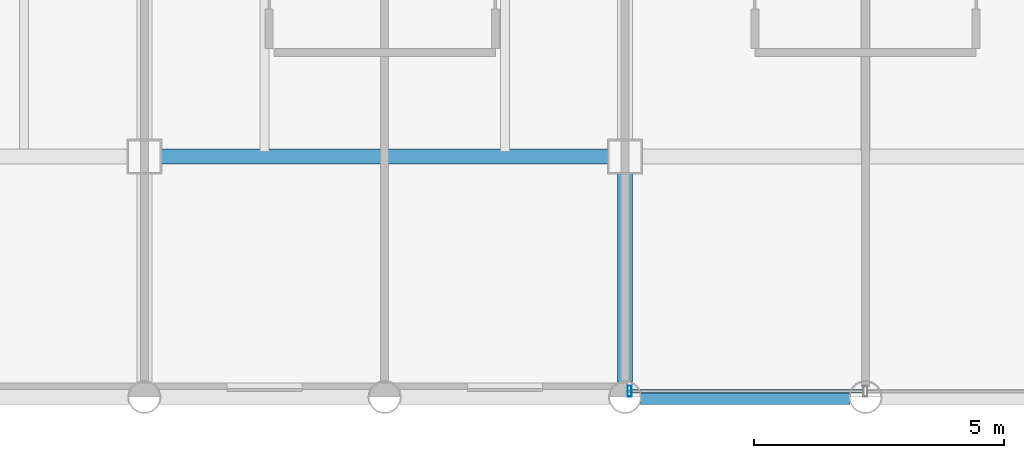
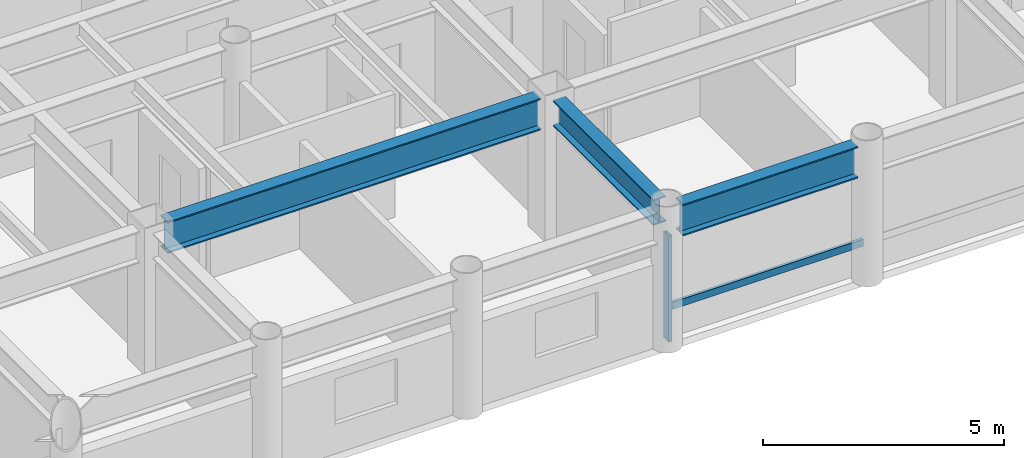
# One storey, part 2 of 20: 3 beams, 2 members, 1 element without a shape of its own.
"""IFC4 building model written with IfcOpenShell, lengths in metres."""

from ifc_helpers import new_model, si_unit, direction, frame, origin, origin_2d, place, context, subcontext, project, spatial, hollow_rectangle, i_section, extrude, material, layer, layer_set, material_profile, profile_set, type_object, element, aggregate, save


model = new_model("IFC4")

# Units and contexts
model_context = context("Model", 3, precision=1e-05, world=origin(), true_north=direction((0.0, 1.0)))
body_context = subcontext(model_context, "Body", "Model", "MODEL_VIEW")
ifc_project = project(units=[si_unit("LENGTHUNIT", "METRE"), si_unit("AREAUNIT", "SQUARE_METRE"), si_unit("VOLUMEUNIT", "CUBIC_METRE"), si_unit("PLANEANGLEUNIT", "RADIAN"), si_unit("MASSUNIT", "GRAM", prefix="KILO")], contexts=[model_context])

# Site, building, storey
site_placement = place(None, origin())
site = spatial("IfcSite", under=ifc_project, at=site_placement, CompositionType="ELEMENT")
building_placement = place(site_placement, origin())
building = spatial("IfcBuilding", under=site, at=building_placement, Name="Kallvorn Hotel Tower", CompositionType="ELEMENT")
storey_placement = place(building_placement, frame((0.0, 0.0, 128.5)))
storey = spatial("IfcBuildingStorey", under=building, at=storey_placement, Name="L31", CompositionType="ELEMENT", Elevation=128.5)

# Beams
ifc_material_1 = material(Name="Structural steel S355JR", Category="steel")
ifc_material_profile_1 = material_profile(ifc_material_1, i_section(OverallWidth=0.300048828125, OverallDepth=0.64990234375, WebThickness=0.01611328125, FlangeThickness=0.031005859375, at=origin_2d()), Name="HE 650 B")
ifc_profile_set_1 = profile_set([ifc_material_profile_1], Name="Structural steel S355JR")
beam_type_1 = type_object("IfcBeamType", Name="BM_HE650B", PredefinedType="BEAM", material=ifc_profile_set_1)
beam_1_placement = place(storey_placement, frame((-4.800048828125, -18.89501953125, 3.195068359375), z_axis=(0.0, 1.0, 0.0), x_axis=(-1.0, 0.0, 0.0)))
element("IfcBeam", 1, at=beam_1_placement, inside=storey, type_object=beam_type_1, Name="L32 Primary Y-Girder 106", PredefinedType="BEAM", context=body_context, shape_type="SweptSolid", body=[
    extrude(i_section(OverallWidth=0.300048828125, OverallDepth=0.64990234375, WebThickness=0.01611328125, FlangeThickness=0.031005859375, at=origin_2d()), origin(), (0.0, 0.0, 1.0), 4.169921875),
])
ifc_material_2 = material(Name="Structural steel S355JR", Category="steel")
ifc_material_profile_2 = material_profile(ifc_material_2, i_section(OverallWidth=0.300048828125, OverallDepth=0.800048828125, WebThickness=0.017578125, FlangeThickness=0.032958984375, at=origin_2d()), Name="HE 800 B")
ifc_profile_set_2 = profile_set([ifc_material_profile_2], Name="Structural steel S355JR")
beam_type_2 = type_object("IfcBeamType", Name="BM_HE800B", PredefinedType="BEAM", material=ifc_profile_set_2)
beam_2_placement = place(storey_placement, frame((-4.4951171875, -19.199951171875, 3.1201171875), z_axis=(1.0, 0.0, 0.0), x_axis=(0.0, 1.0, 0.0)))
element("IfcBeam", 2, at=beam_2_placement, inside=storey, type_object=beam_type_2, Name="L32 Primary X-Girder 06", PredefinedType="BEAM", context=body_context, shape_type="SweptSolid", body=[
    extrude(i_section(OverallWidth=0.300048828125, OverallDepth=0.800048828125, WebThickness=0.017578125, FlangeThickness=0.032958984375, at=origin_2d()), origin(), (0.0, 0.0, 1.0), 4.190185546875),
])
beam_3_placement = place(storey_placement, frame((-14.074951171875, -14.39990234375, 3.1201171875), z_axis=(1.0, 0.0, 0.0), x_axis=(0.0, 1.0, 0.0)))
element("IfcBeam", 3, at=beam_3_placement, inside=storey, type_object=beam_type_2, Name="L32 Primary X-Girder 17", PredefinedType="BEAM", context=body_context, shape_type="SweptSolid", body=[
    extrude(i_section(OverallWidth=0.300048828125, OverallDepth=0.800048828125, WebThickness=0.017578125, FlangeThickness=0.032958984375, at=origin_2d()), origin(), (0.0, 0.0, 1.0), 8.949951171875),
])

# Curtain wall, members
ifc_material_3 = material(Name="Thermally broken black-anodised aluminium AA 6063-T6", Category="aluminium")
ifc_layer = layer(ifc_material_3, 0.2099609375)
ifc_layer_set = layer_set([ifc_layer], Name="CW_SYS_4_HOTEL_MID")
curtain_wall_type = type_object("IfcCurtainWallType", Name="CW_SYS_4_HOTEL_MID", PredefinedType="USERDEFINED", material=ifc_layer_set)
curtain_wall_placement = place(storey_placement, origin())
curtain_wall = element("IfcCurtainWall", 4, at=curtain_wall_placement, inside=storey, type_object=curtain_wall_type, Name="L31 Dark-Glass Curtain Wall CW-L31-SC", ObjectType="UNITISED CURTAIN WALL", PredefinedType="USERDEFINED")
ifc_material_4 = material(Name="Thermally broken black-anodised aluminium AA 6063-T6", Category="aluminium")
ifc_material_profile_3 = material_profile(ifc_material_4, hollow_rectangle(XDim=0.080078125, YDim=0.219970703125, WallThickness=0.0048828125, at=origin_2d()), Name="MUL 220x80")
ifc_profile_set_3 = profile_set([ifc_material_profile_3], Name="Thermally broken black-anodised aluminium AA 6063-T6")
member_type_1 = type_object("IfcMemberType", Name="CW_MULLION_220x80", PredefinedType="MULLION", material=ifc_profile_set_3)
member_1_placement = place(storey_placement, frame((-4.7099609375, -19.080078125, 0.02001953125), z_axis=(0.0, 0.0, 1.0), x_axis=(1.0, 0.0, 0.0)))
member_1 = element("IfcMember", 5, at=member_1_placement, type_object=member_type_1, Name="CW-L31-SC Mullion 00", PredefinedType="MULLION", context=body_context, shape_type="SweptSolid", body=[
    extrude(hollow_rectangle(XDim=0.080078125, YDim=0.219970703125, WallThickness=0.0048828125, at=origin_2d()), origin(), (0.0, 0.0, 1.0), 2.679931640625),
])
ifc_material_5 = material(Name="Thermally broken black-anodised aluminium AA 6063-T6", Category="aluminium")
ifc_material_profile_4 = material_profile(ifc_material_5, hollow_rectangle(XDim=0.070068359375, YDim=0.179931640625, WallThickness=0.00390625, at=origin_2d()), Name="TRN 180x70")
ifc_profile_set_4 = profile_set([ifc_material_profile_4], Name="Thermally broken black-anodised aluminium AA 6063-T6")
member_type_2 = type_object("IfcMemberType", Name="CW_TRANSOM_180x70", PredefinedType="USERDEFINED", material=ifc_profile_set_4)
member_2_placement = place(storey_placement, frame((-4.7099609375, -19.080078125, 0.85009765625), z_axis=(1.0, 0.0, 0.0), x_axis=(0.0, 1.0, 0.0)))
member_2 = element("IfcMember", 6, at=member_2_placement, type_object=member_type_2, Name="CW-L31-SC Transom 00M", ObjectType="TRANSOM", PredefinedType="USERDEFINED", context=body_context, shape_type="SweptSolid", body=[
    extrude(hollow_rectangle(XDim=0.070068359375, YDim=0.179931640625, WallThickness=0.00390625, at=origin_2d()), origin(), (0.0, 0.0, 1.0), 4.669921875),
])
aggregate(curtain_wall, [member_1, member_2])

save(model, "model.ifc")
